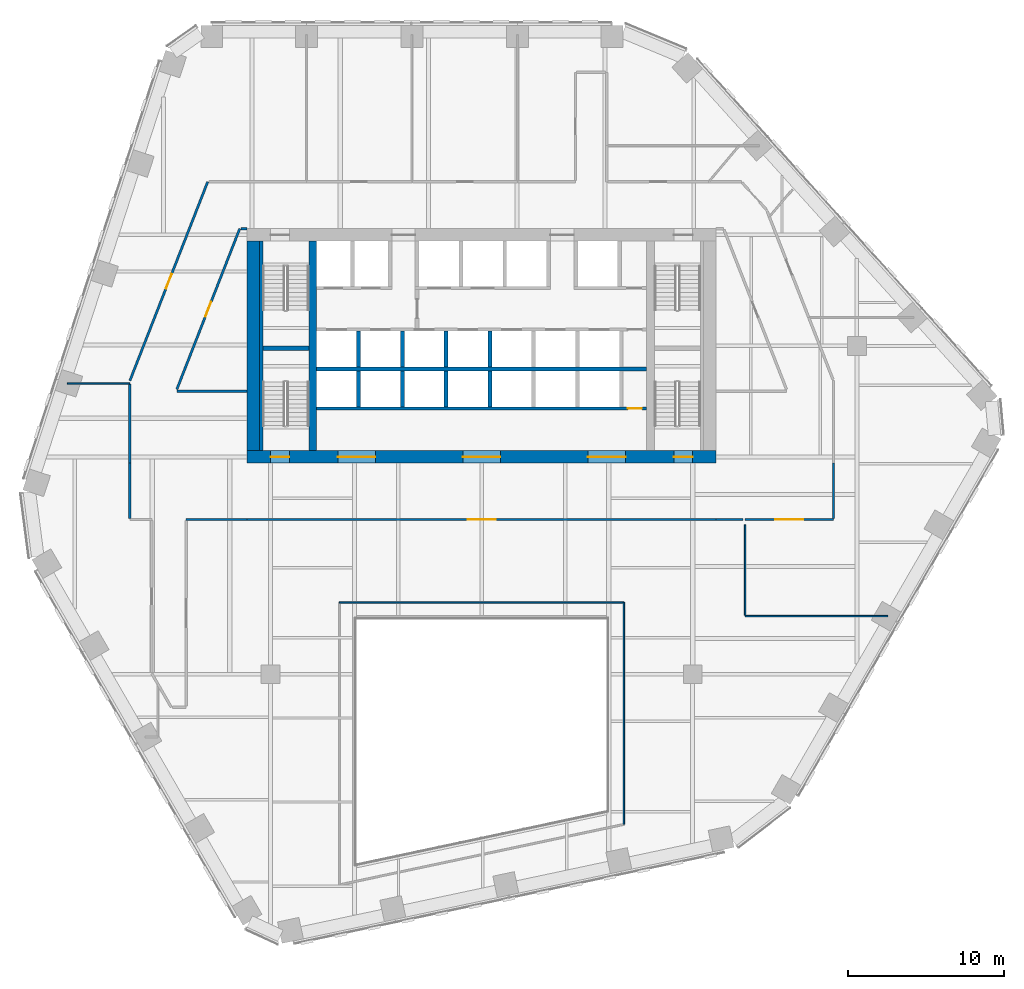
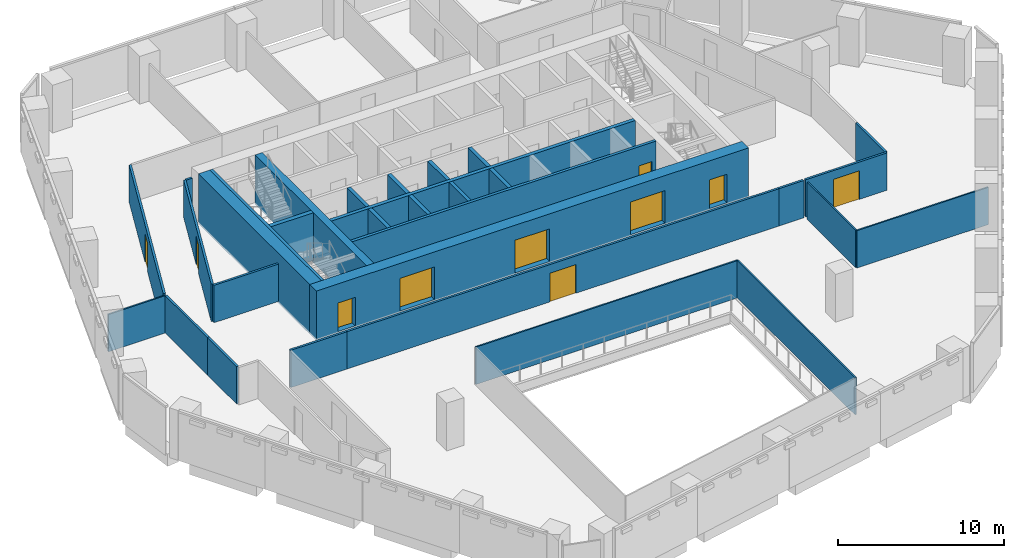
# One storey, part 11 of 17: 31 walls, 10 doors, 10 openings.
"""IFC4 building model written with IfcOpenShell, lengths in metres."""

from ifc_helpers import new_model, si_unit, direction, frame, frame_2d, origin, place, context, subcontext, project, spatial, rectangle, extrude, material, layer, layer_set, type_object, element, fill, save


model = new_model("IFC4")

# Units and contexts
model_context = context("Model", 3, precision=1e-05, world=origin(), true_north=direction((0.0, 1.0)))
body_context = subcontext(model_context, "Body", "Model", "MODEL_VIEW")
ifc_project = project(units=[si_unit("LENGTHUNIT", "METRE"), si_unit("AREAUNIT", "SQUARE_METRE"), si_unit("VOLUMEUNIT", "CUBIC_METRE"), si_unit("PLANEANGLEUNIT", "RADIAN"), si_unit("MASSUNIT", "GRAM", prefix="KILO")], contexts=[model_context])

# Site, building, storey
site_placement = place(None, origin())
site = spatial("IfcSite", under=ifc_project, at=site_placement, CompositionType="ELEMENT")
building_placement = place(site_placement, origin())
building = spatial("IfcBuilding", under=site, at=building_placement, Name="Isthmus Gate Tower", CompositionType="ELEMENT")
storey_placement = place(building_placement, frame((0.0, 0.0, 126.14990234375)))
storey = spatial("IfcBuildingStorey", under=building, at=storey_placement, Name="L30", CompositionType="ELEMENT", Elevation=126.14990234375)

# Walls
ifc_material_1 = material(Name="Fire-rated laminated glass in steel frame", Category="steel")
ifc_layer_1 = layer(ifc_material_1, 0.10009765625)
ifc_layer_set_1 = layer_set([ifc_layer_1], Name="ATRIUM SCREEN GLAZED WALL 100 120 MIN")
wall_type_1 = type_object("IfcWallType", Name="ATRIUM SCREEN GLAZED WALL 100 120 MIN", PredefinedType="PARTITIONING", material=ifc_layer_set_1)
wall_1_placement = place(storey_placement, frame((-9.10009765625, -8.89990234375, 0.0), z_axis=(0.0, 0.0, 1.0), x_axis=(1.0, 0.0, 0.0)))
element("IfcWall", 1, at=wall_1_placement, inside=storey, type_object=wall_type_1, Name="L30 atrium screen", PredefinedType="PARTITIONING", context=body_context, shape_type="SweptSolid", body=[
    extrude(rectangle(XDim=18.2001953125, YDim=0.10009765625, at=frame_2d((9.10009765625, 0.0))), origin(), (0.0, 0.0, 1.0), 2.7412109375),
])
wall_2_placement = place(storey_placement, frame((9.10009765625, -8.89990234375, 0.0), z_axis=(0.0, 0.0, 1.0), x_axis=(0.0, -1.0, 0.0)))
element("IfcWall", 2, at=wall_2_placement, inside=storey, type_object=wall_type_1, Name="L30 atrium screen", PredefinedType="PARTITIONING", context=body_context, shape_type="SweptSolid", body=[
    extrude(rectangle(XDim=14.200927734375, YDim=0.10009765625, at=frame_2d((7.1005859375, 0.0))), origin(), (0.0, 0.0, 1.0), 2.7412109375),
])

# Wall, opening, door
ifc_material_2 = material(Name="Gypsum board on steel studs, fire-rated", Category="steel")
ifc_layer_2 = layer(ifc_material_2, 0.14990234375)
ifc_layer_set_2 = layer_set([ifc_layer_2], Name="CORRIDOR WALL 150 60 MIN")
wall_type_2 = type_object("IfcWallType", Name="CORRIDOR WALL 150 60 MIN", PredefinedType="PARTITIONING", material=ifc_layer_set_2)
wall_3_placement = place(storey_placement, frame((15.0, -3.60009765625, 0.0), z_axis=(0.0, 0.0, 1.0), x_axis=(-1.0, 0.0, 0.0)))
wall_3 = element("IfcWall", 3, at=wall_3_placement, inside=storey, type_object=wall_type_2, Name="L30 Corridor Wall 150 60 Min", PredefinedType="PARTITIONING", context=body_context, shape_type="SweptSolid", body=[
    extrude(rectangle(XDim=30.0, YDim=0.14990234375, at=frame_2d((15.0, 0.0))), origin(), (0.0, 0.0, 1.0), 2.7412109375),
])
opening_1_placement = place(wall_3_placement, frame((14.10009765625, 0.0, 0.0)))
opening_1 = element("IfcOpeningElement", 4, at=opening_1_placement, cuts=wall_3, Name="Opening DT-T3A-09", PredefinedType="OPENING", context=body_context, shape_type="SweptSolid", body=[
    extrude(rectangle(XDim=1.800048828125, YDim=2.10009765625, at=frame_2d((0.89990234375, 1.050048828125))), frame((0.0, 0.0849609375, 0.0), z_axis=(0.0, -1.0, 0.0), x_axis=(1.0, 0.0, 0.0)), (0.0, 0.0, 1.0), 0.169921875),
])
ifc_material_3 = material(Name="Solid core timber door leaf, fire-rated", Category="wood")
door_type_1 = type_object("IfcDoorType", Name="FIRE DOOR ROOM 1800 X 2100 60 MIN", OperationType="DOUBLE_DOOR_DOUBLE_SWING", PredefinedType="DOOR", material=ifc_material_3)
door_1_placement = place(opening_1_placement, origin())
door_1 = element("IfcDoor", 5, at=door_1_placement, inside=storey, type_object=door_type_1, Name="L30 room door", OperationType="DOUBLE_DOOR_DOUBLE_SWING", OverallHeight=2.10009765625, OverallWidth=1.800048828125, PredefinedType="DOOR", context=body_context, shape_type="SweptSolid", body=[
    extrude(rectangle(XDim=1.800048828125, YDim=2.10009765625, at=frame_2d((0.89990234375, 1.050048828125))), frame((0.0, 0.02490234375, 0.0), z_axis=(0.0, -1.0, 0.0), x_axis=(1.0, 0.0, 0.0)), (0.0, 0.0, 1.0), 0.050048828125),
])
fill(opening_1, door_1)

wall_4_placement = place(storey_placement, frame((22.5, -3.60009765625, 0.0), z_axis=(0.0, 0.0, 1.0), x_axis=(-1.0, 0.0, 0.0)))
wall_4 = element("IfcWall", 6, at=wall_4_placement, inside=storey, type_object=wall_type_2, Name="L30 Corridor Wall 150 60 Min", PredefinedType="PARTITIONING", context=body_context, shape_type="SweptSolid", body=[
    extrude(rectangle(XDim=5.64990234375, YDim=0.14990234375, at=frame_2d((2.824951171875, 0.0))), origin(), (0.0, 0.0, 1.0), 2.7412109375),
])
opening_2_placement = place(wall_4_placement, frame((1.925048828125, 0.0, 0.0)))
opening_2 = element("IfcOpeningElement", 7, at=opening_2_placement, cuts=wall_4, Name="Opening DT-T3A-07", PredefinedType="OPENING", context=body_context, shape_type="SweptSolid", body=[
    extrude(rectangle(XDim=1.800048828125, YDim=2.10009765625, at=frame_2d((0.89990234375, 1.050048828125))), frame((0.0, 0.0849609375, 0.0), z_axis=(0.0, -1.0, 0.0), x_axis=(1.0, 0.0, 0.0)), (0.0, 0.0, 1.0), 0.169921875),
])
door_2_placement = place(opening_2_placement, origin())
door_2 = element("IfcDoor", 8, at=door_2_placement, inside=storey, type_object=door_type_1, Name="L30 room door", OperationType="DOUBLE_DOOR_DOUBLE_SWING", OverallHeight=2.10009765625, OverallWidth=1.800048828125, PredefinedType="DOOR", context=body_context, shape_type="SweptSolid", body=[
    extrude(rectangle(XDim=1.800048828125, YDim=2.10009765625, at=frame_2d((0.89990234375, 1.050048828125))), frame((0.0, 0.02490234375, 0.0), z_axis=(0.0, -1.0, 0.0), x_axis=(1.0, 0.0, 0.0)), (0.0, 0.0, 1.0), 0.050048828125),
])
fill(opening_2, door_2)

# Walls
wall_5_placement = place(storey_placement, frame((22.5, 0.0, 0.0), z_axis=(0.0, 0.0, 1.0), x_axis=(0.0, -1.0, 0.0)))
element("IfcWall", 9, at=wall_5_placement, inside=storey, type_object=wall_type_2, Name="L30 Corridor Wall 150 60 Min", PredefinedType="PARTITIONING", context=body_context, shape_type="SweptSolid", body=[
    extrude(rectangle(XDim=3.52490234375, YDim=0.14990234375, at=frame_2d((1.762451171875, 0.0))), origin(), (0.0, 0.0, 1.0), 2.7412109375),
])
wall_6_placement = place(storey_placement, frame((16.714111328125, -3.60009765625, 0.0), z_axis=(0.0, 0.0, 1.0), x_axis=(-1.0, 0.0, 0.0)))
element("IfcWall", 10, at=wall_6_placement, inside=storey, type_object=wall_type_2, Name="L30 Corridor Wall 150 60 Min", PredefinedType="PARTITIONING", context=body_context, shape_type="SweptSolid", body=[
    extrude(rectangle(XDim=1.714111328125, YDim=0.14990234375, at=frame_2d((0.85693359375, 0.0))), origin(), (0.0, 0.0, 1.0), 2.7412109375),
])
wall_7_placement = place(storey_placement, frame((-15.0, -3.60009765625, 0.0), z_axis=(0.0, 0.0, 1.0), x_axis=(-1.0, 0.0, 0.0)))
element("IfcWall", 11, at=wall_7_placement, inside=storey, type_object=wall_type_2, Name="L30 Corridor Wall 150 60 Min", PredefinedType="PARTITIONING", context=body_context, shape_type="SweptSolid", body=[
    extrude(rectangle(XDim=3.89990234375, YDim=0.14990234375, at=frame_2d((1.949951171875, 0.0))), origin(), (0.0, 0.0, 1.0), 2.7412109375),
])

# Wall, opening, door
wall_8_placement = place(storey_placement, frame((-15.47607421875, 15.0, 0.0), z_axis=(0.0, 0.0, 1.0), x_axis=(-0.364411853206, -0.931237886494, 0.0)))
wall_8 = element("IfcWall", 12, at=wall_8_placement, inside=storey, type_object=wall_type_2, Name="L30 Corridor Wall 150 60 Min", PredefinedType="PARTITIONING", context=body_context, shape_type="SweptSolid", body=[
    extrude(rectangle(XDim=11.042236328125, YDim=0.14990234375, at=frame_2d((5.52099609375, 0.0))), origin(), (0.0, 0.0, 1.0), 2.7412109375),
])
opening_3_placement = place(wall_8_placement, frame((5.021240234375, 0.0, 0.0)))
opening_3 = element("IfcOpeningElement", 13, at=opening_3_placement, cuts=wall_8, Name="Opening DT-T3A-05", PredefinedType="OPENING", context=body_context, shape_type="SweptSolid", body=[
    extrude(rectangle(XDim=1.0, YDim=2.10009765625, at=frame_2d((0.5, 1.050048828125))), frame((0.0, 0.0849609375, 0.0), z_axis=(0.0, -1.0, 0.0), x_axis=(1.0, 0.0, 0.0)), (0.0, 0.0, 1.0), 0.169921875),
])
ifc_material_4 = material(Name="Solid core timber door leaf, fire-rated", Category="wood")
door_type_2 = type_object("IfcDoorType", Name="FIRE DOOR ROOM 1000 X 2100 60 MIN", OperationType="SINGLE_SWING_LEFT", PredefinedType="DOOR", material=ifc_material_4)
door_3_placement = place(opening_3_placement, origin())
door_3 = element("IfcDoor", 14, at=door_3_placement, inside=storey, type_object=door_type_2, Name="L30 room door", OperationType="SINGLE_SWING_RIGHT", OverallHeight=2.10009765625, OverallWidth=1.0, PredefinedType="DOOR", context=body_context, shape_type="SweptSolid", body=[
    extrude(rectangle(XDim=1.0, YDim=2.10009765625, at=frame_2d((0.5, 1.050048828125))), frame((0.0, 0.02490234375, 0.0), z_axis=(0.0, -1.0, 0.0), x_axis=(1.0, 0.0, 0.0)), (0.0, 0.0, 1.0), 0.050048828125),
])
fill(opening_3, door_3)

# Wall
wall_9_placement = place(storey_placement, frame((-15.0, 15.0, 0.0), z_axis=(0.0, 0.0, 1.0), x_axis=(-1.0, 0.0, 0.0)))
element("IfcWall", 15, at=wall_9_placement, inside=storey, type_object=wall_type_2, Name="L30 Corridor Wall 150 60 Min", PredefinedType="PARTITIONING", context=body_context, shape_type="SweptSolid", body=[
    extrude(rectangle(XDim=0.40087890625, YDim=0.14990234375, at=frame_2d((0.200439453125, 0.0))), origin(), (0.0, 0.0, 1.0), 2.7412109375),
])

# Wall, opening, door
wall_10_placement = place(storey_placement, frame((-22.5, 5.282958984375, 0.0), z_axis=(0.0, 0.0, 1.0), x_axis=(0.364389237236, 0.931246736256, 0.0)))
wall_10 = element("IfcWall", 16, at=wall_10_placement, inside=storey, type_object=wall_type_2, Name="L30 Corridor Wall 150 60 Min", PredefinedType="PARTITIONING", context=body_context, shape_type="SweptSolid", body=[
    extrude(rectangle(XDim=13.656005859375, YDim=0.14990234375, at=frame_2d((6.828125, 0.0))), origin(), (0.0, 0.0, 1.0), 2.7412109375),
])
opening_4_placement = place(wall_10_placement, frame((6.327880859375, 0.0, 0.0)))
opening_4 = element("IfcOpeningElement", 17, at=opening_4_placement, cuts=wall_10, Name="Opening DT-T3A-04", PredefinedType="OPENING", context=body_context, shape_type="SweptSolid", body=[
    extrude(rectangle(XDim=1.0, YDim=2.10009765625, at=frame_2d((0.5, 1.050048828125))), frame((0.0, 0.0849609375, 0.0), z_axis=(0.0, -1.0, 0.0), x_axis=(1.0, 0.0, 0.0)), (0.0, 0.0, 1.0), 0.169921875),
])
door_4_placement = place(opening_4_placement, origin())
door_4 = element("IfcDoor", 18, at=door_4_placement, inside=storey, type_object=door_type_2, Name="L30 room door", OperationType="SINGLE_SWING_RIGHT", OverallHeight=2.10009765625, OverallWidth=1.0, PredefinedType="DOOR", context=body_context, shape_type="SweptSolid", body=[
    extrude(rectangle(XDim=1.0, YDim=2.10009765625, at=frame_2d((0.5, 1.050048828125))), frame((0.0, 0.02490234375, 0.0), z_axis=(0.0, -1.0, 0.0), x_axis=(1.0, 0.0, 0.0)), (0.0, 0.0, 1.0), 0.050048828125),
])
fill(opening_4, door_4)

# Walls
wall_11_placement = place(storey_placement, frame((-19.5, 4.60009765625, 0.0), z_axis=(0.0, 0.0, 1.0), x_axis=(1.0, 0.0, 0.0)))
element("IfcWall", 19, at=wall_11_placement, inside=storey, type_object=wall_type_2, Name="L30 Corridor Wall 150 60 Min", PredefinedType="PARTITIONING", context=body_context, shape_type="SweptSolid", body=[
    extrude(rectangle(XDim=4.5, YDim=0.14990234375, at=frame_2d((2.25, 0.0))), origin(), (0.0, 0.0, 1.0), 2.7412109375),
])
wall_12_placement = place(storey_placement, frame((-22.5, -3.52490234375, 0.0), z_axis=(0.0, 0.0, 1.0), x_axis=(0.0, 1.0, 0.0)))
element("IfcWall", 20, at=wall_12_placement, inside=storey, type_object=wall_type_2, Name="L30 Corridor Wall 150 60 Min", PredefinedType="PARTITIONING", context=body_context, shape_type="SweptSolid", body=[
    extrude(rectangle(XDim=3.52490234375, YDim=0.14990234375, at=frame_2d((1.762451171875, 0.0))), origin(), (0.0, 0.0, 1.0), 2.7412109375),
])
wall_13_placement = place(storey_placement, frame((-22.5, 0.0, 0.0), z_axis=(0.0, 0.0, 1.0), x_axis=(0.0, 1.0, 0.0)))
element("IfcWall", 21, at=wall_13_placement, inside=storey, type_object=wall_type_2, Name="L30 Corridor Wall 150 60 Min", PredefinedType="PARTITIONING", context=body_context, shape_type="SweptSolid", body=[
    extrude(rectangle(XDim=5.06103515625, YDim=0.14990234375, at=frame_2d((2.530517578125, 0.0))), origin(), (0.0, 0.0, 1.0), 2.7412109375),
])
ifc_material_5 = material(Name="Concrete f'c 60 MPa", Category="concrete")
ifc_layer_3 = layer(ifc_material_5, 0.5)
ifc_layer_set_3 = layer_set([ifc_layer_3], Name="RC CORE SPINE WALL 500 F'C 60")
wall_type_3 = type_object("IfcWallType", Name="RC CORE SPINE WALL 500 F'C 60", PredefinedType="SOLIDWALL", material=ifc_layer_set_3)
wall_14_placement = place(storey_placement, frame((-10.800048828125, 0.800048828125, -0.14990234375), z_axis=(0.0, 0.0, 1.0), x_axis=(0.0, 1.0, 0.0)))
element("IfcWall", 22, at=wall_14_placement, inside=storey, type_object=wall_type_3, Name="str-corewall-L30-SPW", PredefinedType="SOLIDWALL", context=body_context, shape_type="SweptSolid", body=[
    extrude(rectangle(XDim=13.39990234375, YDim=0.5, at=frame_2d((6.699951171875, 0.0))), origin(), (0.0, 0.0, 1.0), 3.64990234375),
])

# Wall, openings, doors
ifc_material_6 = material(Name="Concrete f'c 60 MPa", Category="concrete")
ifc_layer_4 = layer(ifc_material_6, 0.800048828125)
ifc_layer_set_4 = layer_set([ifc_layer_4], Name="RC CORE WALL 800 F'C 60")
wall_type_4 = type_object("IfcWallType", Name="RC CORE WALL 800 F'C 60", PredefinedType="SOLIDWALL", material=ifc_layer_set_4)
wall_15_placement = place(storey_placement, frame((-15.0, 0.39990234375, -0.14990234375), z_axis=(0.0, 0.0, 1.0), x_axis=(1.0, 0.0, 0.0)))
wall_15 = element("IfcWall", 23, at=wall_15_placement, inside=storey, type_object=wall_type_4, Name="str-corewall-L30-S", PredefinedType="SOLIDWALL", context=body_context, shape_type="SweptSolid", body=[
    extrude(rectangle(XDim=30.0, YDim=0.800048828125, at=frame_2d((15.0, 0.0))), origin(), (0.0, 0.0, 1.0), 3.64990234375),
])
opening_5_placement = place(wall_15_placement, frame((5.800048828125, 0.0, 0.14990234375)))
opening_5 = element("IfcOpeningElement", 24, at=opening_5_placement, cuts=wall_15, Name="Opening DC-A09-05", PredefinedType="OPENING", context=body_context, shape_type="SweptSolid", body=[
    extrude(rectangle(XDim=2.39990234375, YDim=2.39990234375, at=frame_2d((1.199951171875, 1.199951171875))), frame((0.0, 0.409912109375, 0.0), z_axis=(0.0, -1.0, 0.0), x_axis=(1.0, 0.0, 0.0)), (0.0, 0.0, 1.0), 0.820068359375),
])
opening_6_placement = place(wall_15_placement, frame((13.800048828125, 0.0, 0.14990234375)))
opening_6 = element("IfcOpeningElement", 25, at=opening_6_placement, cuts=wall_15, Name="Opening DC-A09-06", PredefinedType="OPENING", context=body_context, shape_type="SweptSolid", body=[
    extrude(rectangle(XDim=2.39990234375, YDim=2.39990234375, at=frame_2d((1.199951171875, 1.199951171875))), frame((0.0, 0.409912109375, 0.0), z_axis=(0.0, -1.0, 0.0), x_axis=(1.0, 0.0, 0.0)), (0.0, 0.0, 1.0), 0.820068359375),
])
opening_7_placement = place(wall_15_placement, frame((21.800048828125, 0.0, 0.14990234375)))
opening_7 = element("IfcOpeningElement", 26, at=opening_7_placement, cuts=wall_15, Name="Opening DC-A09-07", PredefinedType="OPENING", context=body_context, shape_type="SweptSolid", body=[
    extrude(rectangle(XDim=2.39990234375, YDim=2.39990234375, at=frame_2d((1.199951171875, 1.199951171875))), frame((0.0, 0.409912109375, 0.0), z_axis=(0.0, -1.0, 0.0), x_axis=(1.0, 0.0, 0.0)), (0.0, 0.0, 1.0), 0.820068359375),
])
opening_8_placement = place(wall_15_placement, frame((1.5, 0.0, 0.14990234375)))
opening_8 = element("IfcOpeningElement", 27, at=opening_8_placement, cuts=wall_15, Name="Opening DC-A09-12", PredefinedType="OPENING", context=body_context, shape_type="SweptSolid", body=[
    extrude(rectangle(XDim=1.199951171875, YDim=2.10009765625, at=frame_2d((0.60009765625, 1.050048828125))), frame((0.0, 0.409912109375, 0.0), z_axis=(0.0, -1.0, 0.0), x_axis=(1.0, 0.0, 0.0)), (0.0, 0.0, 1.0), 0.820068359375),
])
opening_9_placement = place(wall_15_placement, frame((27.300048828125, 0.0, 0.14990234375)))
opening_9 = element("IfcOpeningElement", 28, at=opening_9_placement, cuts=wall_15, Name="Opening DC-A09-13", PredefinedType="OPENING", context=body_context, shape_type="SweptSolid", body=[
    extrude(rectangle(XDim=1.199951171875, YDim=2.10009765625, at=frame_2d((0.60009765625, 1.050048828125))), frame((0.0, 0.409912109375, 0.0), z_axis=(0.0, -1.0, 0.0), x_axis=(1.0, 0.0, 0.0)), (0.0, 0.0, 1.0), 0.820068359375),
])
ifc_material_7 = material(Name="Laminated safety glass in steel frame, fire-rated", Category="steel")
door_type_3 = type_object("IfcDoorType", Name="LOBBY ENTRANCE FIRE DOOR 2400 X 2400 60 MIN", OperationType="DOUBLE_DOOR_DOUBLE_SWING", PredefinedType="DOOR", material=ifc_material_7)
door_5_placement = place(opening_5_placement, origin())
door_5 = element("IfcDoor", 29, at=door_5_placement, inside=storey, type_object=door_type_3, Name="Lobby Entrance PS-W", OperationType="DOUBLE_DOOR_DOUBLE_SWING", OverallHeight=2.39990234375, OverallWidth=2.39990234375, PredefinedType="DOOR", context=body_context, shape_type="SweptSolid", body=[
    extrude(rectangle(XDim=2.39990234375, YDim=2.39990234375, at=frame_2d((1.199951171875, 1.199951171875))), frame((0.0, 0.02490234375, 0.0), z_axis=(0.0, -1.0, 0.0), x_axis=(1.0, 0.0, 0.0)), (0.0, 0.0, 1.0), 0.050048828125),
])
fill(opening_5, door_5)
door_6_placement = place(opening_6_placement, origin())
door_6 = element("IfcDoor", 30, at=door_6_placement, inside=storey, type_object=door_type_3, Name="Lobby Entrance PS-C", OperationType="DOUBLE_DOOR_DOUBLE_SWING", OverallHeight=2.39990234375, OverallWidth=2.39990234375, PredefinedType="DOOR", context=body_context, shape_type="SweptSolid", body=[
    extrude(rectangle(XDim=2.39990234375, YDim=2.39990234375, at=frame_2d((1.199951171875, 1.199951171875))), frame((0.0, 0.02490234375, 0.0), z_axis=(0.0, -1.0, 0.0), x_axis=(1.0, 0.0, 0.0)), (0.0, 0.0, 1.0), 0.050048828125),
])
fill(opening_6, door_6)
door_7_placement = place(opening_7_placement, origin())
door_7 = element("IfcDoor", 31, at=door_7_placement, inside=storey, type_object=door_type_3, Name="Lobby Entrance PS-E", OperationType="DOUBLE_DOOR_DOUBLE_SWING", OverallHeight=2.39990234375, OverallWidth=2.39990234375, PredefinedType="DOOR", context=body_context, shape_type="SweptSolid", body=[
    extrude(rectangle(XDim=2.39990234375, YDim=2.39990234375, at=frame_2d((1.199951171875, 1.199951171875))), frame((0.0, 0.02490234375, 0.0), z_axis=(0.0, -1.0, 0.0), x_axis=(1.0, 0.0, 0.0)), (0.0, 0.0, 1.0), 0.050048828125),
])
fill(opening_7, door_7)
ifc_material_8 = material(Name="Steel door leaf, fire-rated", Category="steel")
door_type_4 = type_object("IfcDoorType", Name="STAIR FIRE DOOR 1200 X 2100 90 MIN", OperationType="SINGLE_SWING_LEFT", PredefinedType="DOOR", material=ifc_material_8)
door_8_placement = place(opening_8_placement, origin())
door_8 = element("IfcDoor", 32, at=door_8_placement, inside=storey, type_object=door_type_4, Name="Exit Stair 7 Door", OperationType="SINGLE_SWING_LEFT", OverallHeight=2.10009765625, OverallWidth=1.199951171875, PredefinedType="DOOR", context=body_context, shape_type="SweptSolid", body=[
    extrude(rectangle(XDim=1.199951171875, YDim=2.10009765625, at=frame_2d((0.60009765625, 1.050048828125))), frame((0.0, 0.02490234375, 0.0), z_axis=(0.0, -1.0, 0.0), x_axis=(1.0, 0.0, 0.0)), (0.0, 0.0, 1.0), 0.050048828125),
])
fill(opening_8, door_8)
door_9_placement = place(opening_9_placement, origin())
door_9 = element("IfcDoor", 33, at=door_9_placement, inside=storey, type_object=door_type_4, Name="Exit Stair 8 Door", OperationType="SINGLE_SWING_RIGHT", OverallHeight=2.10009765625, OverallWidth=1.199951171875, PredefinedType="DOOR", context=body_context, shape_type="SweptSolid", body=[
    extrude(rectangle(XDim=1.199951171875, YDim=2.10009765625, at=frame_2d((0.60009765625, 1.050048828125))), frame((0.0, 0.02490234375, 0.0), z_axis=(0.0, -1.0, 0.0), x_axis=(1.0, 0.0, 0.0)), (0.0, 0.0, 1.0), 0.050048828125),
])
fill(opening_9, door_9)

# Walls
wall_16_placement = place(storey_placement, frame((-14.60009765625, 0.800048828125, -0.14990234375), z_axis=(0.0, 0.0, 1.0), x_axis=(0.0, 1.0, 0.0)))
element("IfcWall", 34, at=wall_16_placement, inside=storey, type_object=wall_type_4, Name="str-corewall-L30-W", PredefinedType="SOLIDWALL", context=body_context, shape_type="SweptSolid", body=[
    extrude(rectangle(XDim=13.39990234375, YDim=0.800048828125, at=frame_2d((6.699951171875, 0.0))), origin(), (0.0, 0.0, 1.0), 3.64990234375),
])
ifc_material_9 = material(Name="Gypsum board on steel studs, fire-rated", Category="steel")
ifc_layer_5 = layer(ifc_material_9, 0.10009765625)
ifc_layer_set_5 = layer_set([ifc_layer_5], Name="ROOM PARTITION 100 30 MIN")
wall_type_5 = type_object("IfcWallType", Name="ROOM PARTITION 100 30 MIN", PredefinedType="PARTITIONING", material=ifc_layer_set_5)
wall_17_placement = place(storey_placement, frame((-26.506103515625, 5.111083984375, 0.0), z_axis=(0.0, 0.0, 1.0), x_axis=(1.0, 0.0, 0.0)))
element("IfcWall", 35, at=wall_17_placement, inside=storey, type_object=wall_type_5, Name="L30 Room Partition 100 30 Min", PredefinedType="PARTITIONING", context=body_context, shape_type="SweptSolid", body=[
    extrude(rectangle(XDim=3.981201171875, YDim=0.10009765625, at=frame_2d((1.99072265625, 0.0))), origin(), (0.0, 0.0, 1.0), 2.7412109375),
])
wall_18_placement = place(storey_placement, frame((16.85009765625, -9.785888671875, 0.0), z_axis=(0.0, 0.0, 1.0), x_axis=(1.0, 0.0, 0.0)))
element("IfcWall", 36, at=wall_18_placement, inside=storey, type_object=wall_type_5, Name="L30 Room Partition 100 30 Min", PredefinedType="PARTITIONING", context=body_context, shape_type="SweptSolid", body=[
    extrude(rectangle(XDim=9.138916015625, YDim=0.10009765625, at=frame_2d((4.5693359375, 0.0))), origin(), (0.0, 0.0, 1.0), 2.7412109375),
])
wall_19_placement = place(storey_placement, frame((16.85009765625, -9.736083984375, 0.0), z_axis=(0.0, 0.0, 1.0), x_axis=(0.0, 1.0, 0.0)))
element("IfcWall", 37, at=wall_19_placement, inside=storey, type_object=wall_type_5, Name="L30 Room Partition 100 30 Min", PredefinedType="PARTITIONING", context=body_context, shape_type="SweptSolid", body=[
    extrude(rectangle(XDim=5.796142578125, YDim=0.10009765625, at=frame_2d((2.89794921875, 0.0))), origin(), (0.0, 0.0, 1.0), 2.7412109375),
])

# Wall, opening, door
ifc_material_10 = material(Name="Fire-rated blockwork masonry, 15 MPa", Category="masonry")
ifc_layer_6 = layer(ifc_material_10, 0.199951171875)
ifc_layer_set_6 = layer_set([ifc_layer_6], Name="SHAFT FRONT WALL 200 120 MIN")
wall_type_6 = type_object("IfcWallType", Name="SHAFT FRONT WALL 200 120 MIN", PredefinedType="PARTITIONING", material=ifc_layer_set_6)
wall_20_placement = place(storey_placement, frame((-10.550048828125, 3.5, 0.0), z_axis=(0.0, 0.0, 1.0), x_axis=(1.0, 0.0, 0.0)))
wall_20 = element("IfcWall", 38, at=wall_20_placement, inside=storey, type_object=wall_type_6, Name="L30 SHAFT FRONT WALL 200 120 MIN", PredefinedType="PARTITIONING", context=body_context, shape_type="SweptSolid", body=[
    extrude(rectangle(XDim=21.10009765625, YDim=0.199951171875, at=frame_2d((10.550048828125, 0.0))), origin(), (0.0, 0.0, 1.0), 3.5),
])
opening_10_placement = place(wall_20_placement, frame((19.89990234375, 0.0, 0.0)))
opening_10 = element("IfcOpeningElement", 39, at=opening_10_placement, cuts=wall_20, Name="Opening DC-A09-02", PredefinedType="OPENING", context=body_context, shape_type="SweptSolid", body=[
    extrude(rectangle(XDim=0.89990234375, YDim=2.10009765625, at=frame_2d((0.449951171875, 1.050048828125))), frame((0.0, 0.10986328125, 0.0), z_axis=(0.0, -1.0, 0.0), x_axis=(1.0, 0.0, 0.0)), (0.0, 0.0, 1.0), 0.219970703125),
])
ifc_material_11 = material(Name="Steel door leaf, fire-rated", Category="steel")
door_type_5 = type_object("IfcDoorType", Name="RISER FIRE DOOR 900 X 2100 90 MIN", OperationType="SINGLE_SWING_LEFT", PredefinedType="DOOR", material=ifc_material_11)
door_10_placement = place(opening_10_placement, origin())
door_10 = element("IfcDoor", 40, at=door_10_placement, inside=storey, type_object=door_type_5, Name="Riser Door", OperationType="SINGLE_SWING_RIGHT", OverallHeight=2.10009765625, OverallWidth=0.89990234375, PredefinedType="DOOR", context=body_context, shape_type="SweptSolid", body=[
    extrude(rectangle(XDim=0.89990234375, YDim=2.10009765625, at=frame_2d((0.449951171875, 1.050048828125))), frame((0.0, 0.02490234375, 0.0), z_axis=(0.0, -1.0, 0.0), x_axis=(1.0, 0.0, 0.0)), (0.0, 0.0, 1.0), 0.050048828125),
])
fill(opening_10, door_10)

# Walls
ifc_material_12 = material(Name="Fire-rated blockwork masonry, 15 MPa", Category="masonry")
ifc_layer_7 = layer(ifc_material_12, 0.25)
ifc_layer_set_7 = layer_set([ifc_layer_7], Name="SHAFT WALL 250 120 MIN")
wall_type_7 = type_object("IfcWallType", Name="SHAFT WALL 250 120 MIN", PredefinedType="PARTITIONING", material=ifc_layer_set_7)
wall_21_placement = place(storey_placement, frame((-10.550048828125, 6.02490234375, 0.0), z_axis=(0.0, 0.0, 1.0), x_axis=(1.0, 0.0, 0.0)))
element("IfcWall", 41, at=wall_21_placement, inside=storey, type_object=wall_type_7, Name="L30 SHAFT WALL 250 120 MIN", PredefinedType="PARTITIONING", context=body_context, shape_type="SweptSolid", body=[
    extrude(rectangle(XDim=21.10009765625, YDim=0.25, at=frame_2d((10.550048828125, 0.0))), origin(), (0.0, 0.0, 1.0), 3.5),
])
for number, where, z_axis, x_axis, name in (
    (42, (-7.875, 3.60009765625, 0.0), (0.0, 0.0, 1.0), (0.0, 1.0, 0.0), "L30 SHAFT WALL 250 120 MIN"),
    (43, (-5.074951171875, 3.60009765625, 0.0), (0.0, 0.0, 1.0), (0.0, 1.0, 0.0), "L30 SHAFT WALL 250 120 MIN"),
    (44, (-2.27490234375, 3.60009765625, 0.0), (0.0, 0.0, 1.0), (0.0, 1.0, 0.0), "L30 SHAFT WALL 250 120 MIN"),
    (45, (0.52490234375, 3.60009765625, 0.0), (0.0, 0.0, 1.0), (0.0, 1.0, 0.0), "L30 SHAFT WALL 250 120 MIN"),
):
    element("IfcWall", number, at=place(storey_placement, frame(where, z_axis=z_axis, x_axis=x_axis)), inside=storey, type_object=wall_type_7, Name=name, PredefinedType="PARTITIONING", context=body_context, shape_type="SweptSolid", body=[
        extrude(rectangle(XDim=2.2998046875, YDim=0.25, at=frame_2d((1.14990234375, 0.0))), origin(), (0.0, 0.0, 1.0), 3.5),
    ])
for number, where, z_axis, x_axis, name in (
    (46, (-7.875, 6.14990234375, 0.0), (0.0, 0.0, 1.0), (0.0, 1.0, 0.0), "L30 SHAFT WALL 250 120 MIN"),
    (47, (-5.074951171875, 6.14990234375, 0.0), (0.0, 0.0, 1.0), (0.0, 1.0, 0.0), "L30 SHAFT WALL 250 120 MIN"),
    (48, (-2.27490234375, 6.14990234375, 0.0), (0.0, 0.0, 1.0), (0.0, 1.0, 0.0), "L30 SHAFT WALL 250 120 MIN"),
    (49, (0.52490234375, 6.14990234375, 0.0), (0.0, 0.0, 1.0), (0.0, 1.0, 0.0), "L30 SHAFT WALL 250 120 MIN"),
):
    element("IfcWall", number, at=place(storey_placement, frame(where, z_axis=z_axis, x_axis=x_axis)), inside=storey, type_object=wall_type_7, Name=name, PredefinedType="PARTITIONING", context=body_context, shape_type="SweptSolid", body=[
        extrude(rectangle(XDim=2.300048828125, YDim=0.25, at=frame_2d((1.14990234375, 0.0))), origin(), (0.0, 0.0, 1.0), 3.5),
    ])
ifc_material_13 = material(Name="Concrete f'c 40 MPa", Category="concrete")
ifc_layer_8 = layer(ifc_material_13, 0.199951171875)
ifc_layer_set_8 = layer_set([ifc_layer_8], Name="STAIR ENCLOSURE WALL 200 180 MIN")
wall_type_8 = type_object("IfcWallType", Name="STAIR ENCLOSURE WALL 200 180 MIN", PredefinedType="SOLIDWALL", material=ifc_layer_set_8)
wall_22_placement = place(storey_placement, frame((-14.10009765625, 0.800048828125, 0.0), z_axis=(0.0, 0.0, 1.0), x_axis=(0.0, 1.0, 0.0)))
element("IfcWall", 50, at=wall_22_placement, inside=storey, type_object=wall_type_8, Name="L30 STAIR ENCLOSURE WALL 200 180 MIN", PredefinedType="SOLIDWALL", context=body_context, shape_type="SweptSolid", body=[
    extrude(rectangle(XDim=13.39990234375, YDim=0.199951171875, at=frame_2d((6.699951171875, 0.0))), origin(), (0.0, 0.0, 1.0), 3.5),
])
ifc_material_14 = material(Name="Concrete f'c 40 MPa", Category="concrete")
ifc_layer_9 = layer(ifc_material_14, 0.300048828125)
ifc_layer_set_9 = layer_set([ifc_layer_9], Name="STAIR ENCLOSURE WALL 300 180 MIN")
wall_type_9 = type_object("IfcWallType", Name="STAIR ENCLOSURE WALL 300 180 MIN", PredefinedType="SOLIDWALL", material=ifc_layer_set_9)
wall_23_placement = place(storey_placement, frame((-14.0, 7.35009765625, 0.0), z_axis=(0.0, 0.0, 1.0), x_axis=(1.0, 0.0, 0.0)))
element("IfcWall", 51, at=wall_23_placement, inside=storey, type_object=wall_type_9, Name="L30 STAIR ENCLOSURE WALL 300 180 MIN", PredefinedType="SOLIDWALL", context=body_context, shape_type="SweptSolid", body=[
    extrude(rectangle(XDim=2.949951171875, YDim=0.300048828125, at=frame_2d((1.47509765625, 0.0))), origin(), (0.0, 0.0, 1.0), 3.5),
])

save(model, "model.ifc")
